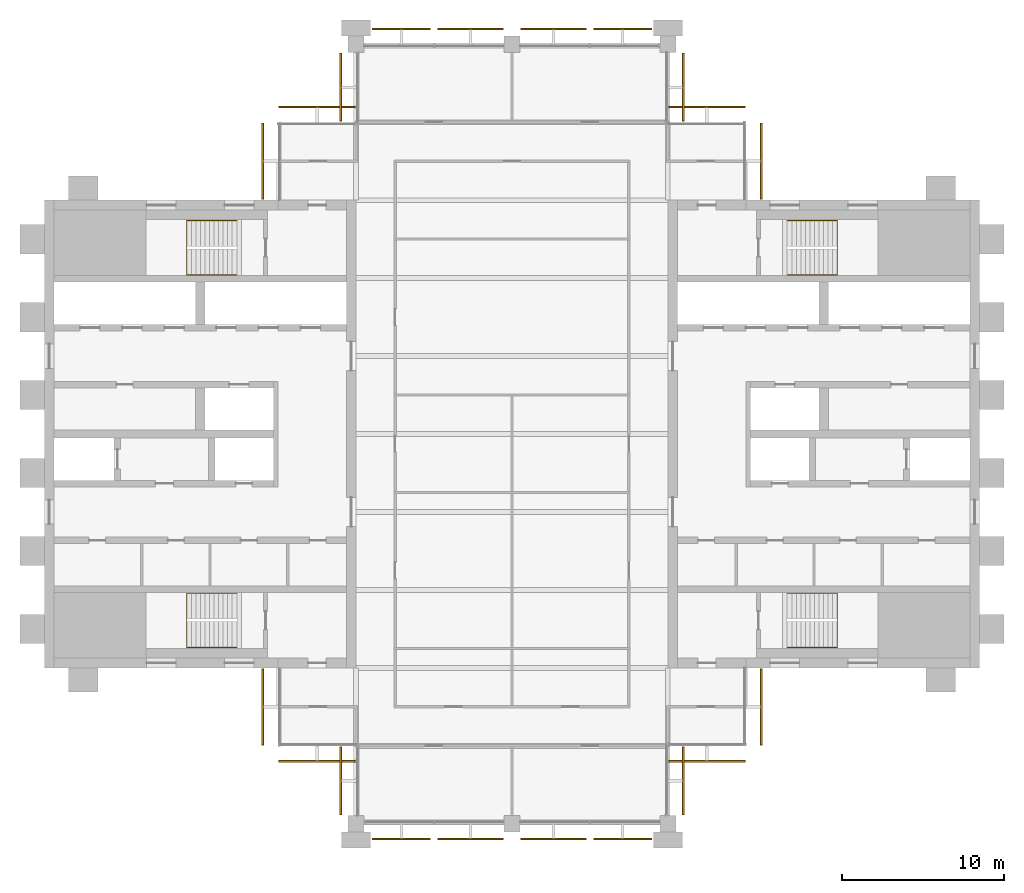
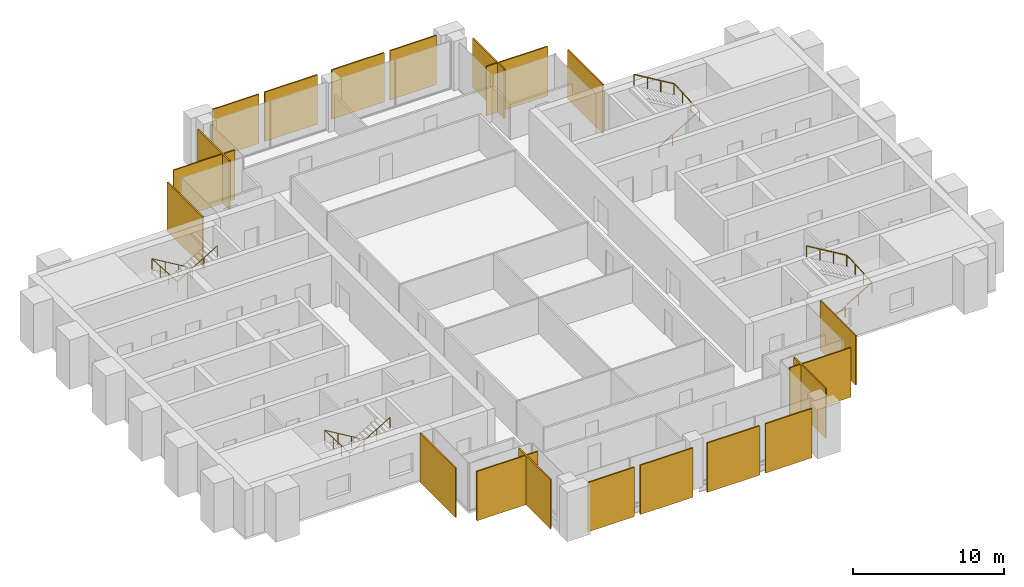
# One storey, part 12 of 12: 20 coverings, 4 railings.
"""IFC4 building model written with IfcOpenShell, lengths in metres."""

import ifcopenshell
import ifcopenshell.guid

model = None  # the IFC model being written
_history = None  # IfcOwnerHistory: only IFC2X3 demands one
_inside = {}  # id of a spatial element -> (the spatial element, [elements in it])
_under = {}  # id of a project, library or spatial element -> (it, [spatial elements below it])
_declared = {}  # id of a project -> (the project, [libraries it declares])
_typed = {}  # id of a type object -> (the type object, [elements of that type])
_made_of = {}  # id of a material, layer set ... -> (it, [elements and type objects made of it])


def new_model(schema):
    """Start an empty IFC model of exactly this schema.

    Asked for "IFC4X3", IfcOpenShell would pick the latest addendum, in which some entities
    have other attributes; the version numbers below select the first issue.
    IFC2X3 requires an IfcOwnerHistory on every rooted entity: one is made here for all.
    """
    global model, _history
    if schema == "IFC4X3":
        model = ifcopenshell.file(schema_version=(4, 3, 0, 0))
    else:
        model = ifcopenshell.file(schema=schema)
    _inside.clear()
    _under.clear()
    _declared.clear()
    _typed.clear()
    _made_of.clear()
    _history = None
    if model.schema == "IFC2X3":
        org = make("IfcOrganization", Name="unknown")
        user = make(
            "IfcPersonAndOrganization",
            ThePerson=make("IfcPerson", FamilyName="unknown"),
            TheOrganization=org,
        )
        app = make(
            "IfcApplication",
            ApplicationDeveloper=org,
            Version="unknown",
            ApplicationFullName="unknown",
            ApplicationIdentifier="unknown",
        )
        _history = make(
            "IfcOwnerHistory",
            OwningUser=user,
            OwningApplication=app,
            ChangeAction="ADDED",
            CreationDate=0,
        )
    return model


def make(cls, **values):
    """One entity of the class cls with the attributes given. An attribute that is None is left unset."""
    return model.create_entity(
        cls, **{name: value for name, value in values.items() if value is not None}
    )


def rooted(cls, **values):
    """An entity with a GlobalId (a new one), such as an element, a storey or a relation."""
    return make(cls, GlobalId=ifcopenshell.guid.new(), OwnerHistory=_history, **values)


def si_unit(unit_type, name, prefix=None):
    """IfcSIUnit, for example si_unit("LENGTHUNIT", "METRE", prefix="MILLI")."""
    return make("IfcSIUnit", UnitType=unit_type, Prefix=prefix, Name=name)


def assignment(units):
    """IfcUnitAssignment: the units of a project."""
    return None if units is None else make("IfcUnitAssignment", Units=units)


def point(xyz):
    """IfcCartesianPoint."""
    return None if xyz is None else make("IfcCartesianPoint", Coordinates=xyz)


def direction(xyz):
    """IfcDirection."""
    return None if xyz is None else make("IfcDirection", DirectionRatios=xyz)


def frame(location, z_axis=None, x_axis=None):
    """IfcAxis2Placement3D, a coordinate frame: its origin and axes. An axis left out is left unset."""
    return make(
        "IfcAxis2Placement3D",
        Location=point(location),
        Axis=direction(z_axis),
        RefDirection=direction(x_axis),
    )


def frame_2d(location, x_axis=None):
    """IfcAxis2Placement2D, a coordinate frame in the plane: its origin and x axis."""
    return make(
        "IfcAxis2Placement2D", Location=point(location), RefDirection=direction(x_axis)
    )


def origin():
    """The frame at (0, 0, 0) with its axes left unset."""
    return frame((0.0, 0.0, 0.0))


def origin_2d():
    """The frame at (0, 0) in the plane with its x axis left unset."""
    return frame_2d((0.0, 0.0))


def place(relative_to, where):
    """IfcLocalPlacement: puts the frame where relative to a parent placement (None: the world)."""
    return make(
        "IfcLocalPlacement", PlacementRelTo=relative_to, RelativePlacement=where
    )


def context(
    kind, dimensions, precision=None, world=None, true_north=None, identifier=None
):
    """IfcGeometricRepresentationContext, for example the 3D "Model" context."""
    return make(
        "IfcGeometricRepresentationContext",
        ContextIdentifier=identifier,
        ContextType=kind,
        CoordinateSpaceDimension=dimensions,
        Precision=precision,
        WorldCoordinateSystem=world,
        TrueNorth=true_north,
    )


def subcontext(parent, identifier, kind, view, scale=None):
    """IfcGeometricRepresentationSubContext, for example "Body" below "Model"."""
    return make(
        "IfcGeometricRepresentationSubContext",
        ContextIdentifier=identifier,
        ContextType=kind,
        ParentContext=parent,
        TargetScale=scale,
        TargetView=view,
    )


def project(units=None, contexts=None):
    """IfcProject with its units and contexts."""
    return rooted(
        "IfcProject",
        Name="project",
        RepresentationContexts=contexts,
        UnitsInContext=assignment(units),
    )


def spatial(cls, under=None, at=None, **own):
    """A site, building, storey or space (cls), placed at a placement, below another one or the project."""
    s = rooted(cls, ObjectPlacement=at, **own)
    if under is not None:
        _under.setdefault(under.id(), (under, []))[1].append(s)
    return s


def polyline(points):
    """IfcPolyline through the points."""
    return make("IfcPolyline", Points=[point(p) for p in points])


def profile(cls, at=None, kind="AREA", **sizes):
    """A parametric profile (cls). Its sizes go by their IFC names, for example OverallWidth=200.0."""
    return make(cls, ProfileType=kind, Position=at, **sizes)


def circle(**sizes):
    """IfcCircleProfileDef."""
    return profile("IfcCircleProfileDef", **sizes)


def outline(outer, holes=None, kind="AREA"):
    """IfcArbitraryClosedProfileDef: a profile drawn as a closed curve; with holes, ...WithVoids."""
    if holes is None:
        return make("IfcArbitraryClosedProfileDef", ProfileType=kind, OuterCurve=outer)
    return make(
        "IfcArbitraryProfileDefWithVoids",
        ProfileType=kind,
        OuterCurve=outer,
        InnerCurves=holes,
    )


def extrude(swept, where, along, depth):
    """IfcExtrudedAreaSolid: the profile swept, set in the frame where, extruded along a direction by depth."""
    return make(
        "IfcExtrudedAreaSolid",
        SweptArea=swept,
        Position=where,
        ExtrudedDirection=direction(along),
        Depth=depth,
    )


def shape(context_of_items, identifier, shape_type, items):
    """IfcShapeRepresentation: the items that make up one representation, for example the "Body"."""
    return make(
        "IfcShapeRepresentation",
        ContextOfItems=context_of_items,
        RepresentationIdentifier=identifier,
        RepresentationType=shape_type,
        Items=items,
    )


def material(Name=None, Category=None):
    """IfcMaterial."""
    return make("IfcMaterial", Name=Name, Category=Category)


def layer(
    of_material, thickness, ventilated=None, Name=None, Category=None, Priority=None
):
    """IfcMaterialLayer: one layer of a wall or slab, of a material (None: an air gap)."""
    return make(
        "IfcMaterialLayer",
        Material=of_material,
        LayerThickness=thickness,
        IsVentilated=ventilated,
        Name=Name,
        Category=Category,
        Priority=Priority,
    )


def layer_set(layers, Name=None):
    """IfcMaterialLayerSet."""
    return make("IfcMaterialLayerSet", MaterialLayers=layers, LayerSetName=Name)


def made_of(thing, what):
    """Note that an element or type object is made of a material, layer set ...; save() writes the relation."""
    if what is not None:
        _made_of.setdefault(what.id(), (what, []))[1].append(thing)
    return thing


def type_object(cls, material=None, **own):
    """A type object (cls), such as IfcWallType, which elements share."""
    return made_of(rooted(cls, **own), material)


def element(
    cls,
    number,
    at=None,
    inside=None,
    cuts=None,
    type_object=None,
    material=None,
    context=None,
    identifier="Body",
    shape_type=None,
    held_by="IfcProductDefinitionShape",
    body=None,
    shapes=None,
    **own,
):
    """One element of the class cls, such as IfcWall. Its Tag is "e" and its number.

    at: its placement. inside: the storey or other place that contains it. cuts: it is an
    opening in that element (IfcRelVoidsElement). A single representation is given by context,
    identifier, shape_type and body (its items); several are given by shapes. held_by: the class
    of the entity that holds the representations. save() writes the other relations.
    """
    e = rooted(cls, Tag="e%d" % number, ObjectPlacement=at, **own)
    if body is not None:
        shapes = [shape(context, identifier, shape_type, body)]
    if shapes is not None:
        e.Representation = make(held_by, Representations=shapes)
    if inside is not None:
        _inside.setdefault(inside.id(), (inside, []))[1].append(e)
    if cuts is not None:
        rooted(
            "IfcRelVoidsElement", RelatingBuildingElement=cuts, RelatedOpeningElement=e
        )
    if type_object is not None:
        _typed.setdefault(type_object.id(), (type_object, []))[1].append(e)
    return made_of(e, material)


def aggregate(whole, parts):
    """IfcRelAggregates: a whole, such as a stair, and the parts it consists of."""
    return rooted("IfcRelAggregates", RelatingObject=whole, RelatedObjects=parts)


def save(model, path):
    """Write the relations noted so far, then the file.

    IfcRelAggregates (storeys below a building ...), IfcRelContainedInSpatialStructure (elements
    in a storey), IfcRelDefinesByType, IfcRelAssociatesMaterial and IfcRelDeclares: one each for
    every whole, place, type object, material and project.
    """
    for whole, parts in _under.values():
        aggregate(whole, parts)
    for where, things in _inside.values():
        rooted(
            "IfcRelContainedInSpatialStructure",
            RelatedElements=things,
            RelatingStructure=where,
        )
    for kind, things in _typed.values():
        rooted("IfcRelDefinesByType", RelatedObjects=things, RelatingType=kind)
    for what, things in _made_of.values():
        rooted("IfcRelAssociatesMaterial", RelatedObjects=things, RelatingMaterial=what)
    for by, libraries in _declared.values():
        rooted("IfcRelDeclares", RelatingContext=by, RelatedDefinitions=libraries)
    model.write(path)


model = new_model("IFC4")

# Units and contexts
model_context = context("Model", 3, precision=1e-05, world=origin(), true_north=direction((0.0, 1.0)))
body_context = subcontext(model_context, "Body", "Model", "MODEL_VIEW")
ifc_project = project(units=[si_unit("LENGTHUNIT", "METRE"), si_unit("AREAUNIT", "SQUARE_METRE"), si_unit("VOLUMEUNIT", "CUBIC_METRE"), si_unit("PLANEANGLEUNIT", "RADIAN"), si_unit("MASSUNIT", "GRAM", prefix="KILO")], contexts=[model_context])

# Site, building, storey
site_placement = place(None, origin())
site = spatial("IfcSite", under=ifc_project, at=site_placement, CompositionType="ELEMENT")
building_placement = place(site_placement, origin())
building = spatial("IfcBuilding", under=site, at=building_placement, Name="Baori Bourse Tower", CompositionType="ELEMENT")
storey_placement = place(building_placement, frame((0.0, 0.0, 310.300048828125)))
storey = spatial("IfcBuildingStorey", under=building, at=storey_placement, Name="L68", CompositionType="ELEMENT", Elevation=310.300048828125)

# Railings
ifc_material_1 = material(Name="Powder-coated steel balustrade", Category="steel")
railing_type = type_object("IfcRailingType", Name="Core stair handrail", PredefinedType="HANDRAIL", material=ifc_material_1)
railing_1_placement = place(storey_placement, frame((11.85009765625, 14.199951171875, 0.16650390625)))
element("IfcRailing", 1, at=railing_1_placement, inside=storey, type_object=railing_type, Name="L68 ST1 stair handrail 1", PredefinedType="HANDRAIL", context=body_context, shape_type="SweptSolid", body=[
    extrude(circle(Radius=0.02392578125, at=origin_2d()), frame((0.0, 0.0, 0.8759765625), z_axis=(-0.85927862911, 0.0, 0.511507807912), x_axis=(0.0, -1.0, 0.0)), (0.0, 0.0, 1.0), 3.58447265625),
    extrude(circle(Radius=0.02392578125, at=origin_2d()), frame((-3.080078125, 0.0, 2.70947265625), z_axis=(0.0, -0.998766999029, 0.049643545903), x_axis=(1.0, 0.0, 0.0)), (0.0, 0.0, 1.0), 3.35400390625),
    extrude(circle(Radius=0.02392578125, at=origin_2d()), frame((-3.080078125, -3.349853515625, 2.8759765625), z_axis=(0.85927862911, 0.0, 0.511507807912), x_axis=(0.0, 1.0, 0.0)), (0.0, 0.0, 1.0), 3.58447265625),
    extrude(circle(Radius=0.02099609375, at=origin_2d()), origin(), (0.0, 0.0, 1.0), 0.851806640625),
    extrude(circle(Radius=0.02099609375, at=origin_2d()), frame((-1.026611328125, 0.0, 0.611083984375)), (0.0, 0.0, 1.0), 0.851806640625),
    extrude(circle(Radius=0.02099609375, at=origin_2d()), frame((-2.053466796875, 0.0, 1.222412109375)), (0.0, 0.0, 1.0), 0.851806640625),
    extrude(circle(Radius=0.02099609375, at=origin_2d()), frame((-3.080078125, 0.0, 1.83349609375)), (0.0, 0.0, 1.0), 0.851806640625),
    extrude(circle(Radius=0.02099609375, at=origin_2d()), frame((-3.080078125, -1.11669921875, 1.888916015625)), (0.0, 0.0, 1.0), 0.851806640625),
    extrude(circle(Radius=0.02099609375, at=origin_2d()), frame((-3.080078125, -2.233154296875, 1.944580078125)), (0.0, 0.0, 1.0), 0.851806640625),
    extrude(circle(Radius=0.02099609375, at=origin_2d()), frame((-3.080078125, -3.349853515625, 2.0)), (0.0, 0.0, 1.0), 0.851806640625),
    extrude(circle(Radius=0.02099609375, at=origin_2d()), frame((-2.053466796875, -3.349853515625, 2.611083984375)), (0.0, 0.0, 1.0), 0.851806640625),
    extrude(circle(Radius=0.02099609375, at=origin_2d()), frame((-1.026611328125, -3.349853515625, 3.222412109375)), (0.0, 0.0, 1.0), 0.851806640625),
    extrude(circle(Radius=0.02099609375, at=origin_2d()), frame((0.0, -3.349853515625, 3.83349609375)), (0.0, 0.0, 1.0), 0.851806640625),
])
railing_2_placement = place(storey_placement, frame((11.85009765625, 37.14990234375, 0.16650390625)))
element("IfcRailing", 2, at=railing_2_placement, inside=storey, type_object=railing_type, Name="L68 ST2 stair handrail 1", PredefinedType="HANDRAIL", context=body_context, shape_type="SweptSolid", body=[
    extrude(circle(Radius=0.02392578125, at=origin_2d()), frame((0.0, 0.0, 0.8759765625), z_axis=(-0.85927862911, 0.0, 0.511507807912), x_axis=(0.0, -1.0, 0.0)), (0.0, 0.0, 1.0), 3.58447265625),
    extrude(circle(Radius=0.02392578125, at=origin_2d()), frame((-3.080078125, 0.0, 2.70947265625), z_axis=(0.0, -0.998766999029, 0.049643545903), x_axis=(1.0, 0.0, 0.0)), (0.0, 0.0, 1.0), 3.35400390625),
    extrude(circle(Radius=0.02392578125, at=origin_2d()), frame((-3.080078125, -3.349853515625, 2.8759765625), z_axis=(0.85927862911, 0.0, 0.511507807912), x_axis=(0.0, 1.0, 0.0)), (0.0, 0.0, 1.0), 3.58447265625),
    extrude(circle(Radius=0.02099609375, at=origin_2d()), origin(), (0.0, 0.0, 1.0), 0.851806640625),
    extrude(circle(Radius=0.02099609375, at=origin_2d()), frame((-1.026611328125, 0.0, 0.611083984375)), (0.0, 0.0, 1.0), 0.851806640625),
    extrude(circle(Radius=0.02099609375, at=origin_2d()), frame((-2.053466796875, 0.0, 1.222412109375)), (0.0, 0.0, 1.0), 0.851806640625),
    extrude(circle(Radius=0.02099609375, at=origin_2d()), frame((-3.080078125, 0.0, 1.83349609375)), (0.0, 0.0, 1.0), 0.851806640625),
    extrude(circle(Radius=0.02099609375, at=origin_2d()), frame((-3.080078125, -1.11669921875, 1.888916015625)), (0.0, 0.0, 1.0), 0.851806640625),
    extrude(circle(Radius=0.02099609375, at=origin_2d()), frame((-3.080078125, -2.233154296875, 1.944580078125)), (0.0, 0.0, 1.0), 0.851806640625),
    extrude(circle(Radius=0.02099609375, at=origin_2d()), frame((-3.080078125, -3.349853515625, 2.0)), (0.0, 0.0, 1.0), 0.851806640625),
    extrude(circle(Radius=0.02099609375, at=origin_2d()), frame((-2.053466796875, -3.349853515625, 2.611083984375)), (0.0, 0.0, 1.0), 0.851806640625),
    extrude(circle(Radius=0.02099609375, at=origin_2d()), frame((-1.026611328125, -3.349853515625, 3.222412109375)), (0.0, 0.0, 1.0), 0.851806640625),
    extrude(circle(Radius=0.02099609375, at=origin_2d()), frame((0.0, -3.349853515625, 3.83349609375)), (0.0, 0.0, 1.0), 0.851806640625),
])
railing_3_placement = place(storey_placement, frame((45.75, 10.85009765625, 0.16650390625)))
element("IfcRailing", 3, at=railing_3_placement, inside=storey, type_object=railing_type, Name="L68 ST3 stair handrail 1", PredefinedType="HANDRAIL", context=body_context, shape_type="SweptSolid", body=[
    extrude(circle(Radius=0.02392578125, at=origin_2d()), frame((0.0, 0.0, 0.8759765625), z_axis=(0.85927862911, 0.0, 0.511507807912), x_axis=(0.0, 1.0, 0.0)), (0.0, 0.0, 1.0), 3.58447265625),
    extrude(circle(Radius=0.02392578125, at=origin_2d()), frame((3.080078125, 0.0, 2.70947265625), z_axis=(0.0, 0.998766999029, 0.049643545903), x_axis=(-1.0, 0.0, 0.0)), (0.0, 0.0, 1.0), 3.35400390625),
    extrude(circle(Radius=0.02392578125, at=origin_2d()), frame((3.080078125, 3.349853515625, 2.8759765625), z_axis=(-0.85927862911, 0.0, 0.511507807912), x_axis=(0.0, -1.0, 0.0)), (0.0, 0.0, 1.0), 3.58447265625),
    extrude(circle(Radius=0.02099609375, at=origin_2d()), origin(), (0.0, 0.0, 1.0), 0.851806640625),
    extrude(circle(Radius=0.02099609375, at=origin_2d()), frame((1.026611328125, 0.0, 0.611083984375)), (0.0, 0.0, 1.0), 0.851806640625),
    extrude(circle(Radius=0.02099609375, at=origin_2d()), frame((2.053466796875, 0.0, 1.222412109375)), (0.0, 0.0, 1.0), 0.851806640625),
    extrude(circle(Radius=0.02099609375, at=origin_2d()), frame((3.080078125, 0.0, 1.83349609375)), (0.0, 0.0, 1.0), 0.851806640625),
    extrude(circle(Radius=0.02099609375, at=origin_2d()), frame((3.080078125, 1.11669921875, 1.888916015625)), (0.0, 0.0, 1.0), 0.851806640625),
    extrude(circle(Radius=0.02099609375, at=origin_2d()), frame((3.080078125, 2.233154296875, 1.944580078125)), (0.0, 0.0, 1.0), 0.851806640625),
    extrude(circle(Radius=0.02099609375, at=origin_2d()), frame((3.080078125, 3.349853515625, 2.0)), (0.0, 0.0, 1.0), 0.851806640625),
    extrude(circle(Radius=0.02099609375, at=origin_2d()), frame((2.053466796875, 3.349853515625, 2.611083984375)), (0.0, 0.0, 1.0), 0.851806640625),
    extrude(circle(Radius=0.02099609375, at=origin_2d()), frame((1.026611328125, 3.349853515625, 3.222412109375)), (0.0, 0.0, 1.0), 0.851806640625),
    extrude(circle(Radius=0.02099609375, at=origin_2d()), frame((0.0, 3.349853515625, 3.83349609375)), (0.0, 0.0, 1.0), 0.851806640625),
])
railing_4_placement = place(storey_placement, frame((45.75, 33.800048828125, 0.16650390625)))
element("IfcRailing", 4, at=railing_4_placement, inside=storey, type_object=railing_type, Name="L68 ST4 stair handrail 1", PredefinedType="HANDRAIL", context=body_context, shape_type="SweptSolid", body=[
    extrude(circle(Radius=0.02392578125, at=origin_2d()), frame((0.0, 0.0, 0.8759765625), z_axis=(0.85927862911, 0.0, 0.511507807912), x_axis=(0.0, 1.0, 0.0)), (0.0, 0.0, 1.0), 3.58447265625),
    extrude(circle(Radius=0.02392578125, at=origin_2d()), frame((3.080078125, 0.0, 2.70947265625), z_axis=(0.0, 0.998766999029, 0.049643545903), x_axis=(-1.0, 0.0, 0.0)), (0.0, 0.0, 1.0), 3.35400390625),
    extrude(circle(Radius=0.02392578125, at=origin_2d()), frame((3.080078125, 3.349853515625, 2.8759765625), z_axis=(-0.85927862911, 0.0, 0.511507807912), x_axis=(0.0, -1.0, 0.0)), (0.0, 0.0, 1.0), 3.58447265625),
    extrude(circle(Radius=0.02099609375, at=origin_2d()), origin(), (0.0, 0.0, 1.0), 0.851806640625),
    extrude(circle(Radius=0.02099609375, at=origin_2d()), frame((1.026611328125, 0.0, 0.611083984375)), (0.0, 0.0, 1.0), 0.851806640625),
    extrude(circle(Radius=0.02099609375, at=origin_2d()), frame((2.053466796875, 0.0, 1.222412109375)), (0.0, 0.0, 1.0), 0.851806640625),
    extrude(circle(Radius=0.02099609375, at=origin_2d()), frame((3.080078125, 0.0, 1.83349609375)), (0.0, 0.0, 1.0), 0.851806640625),
    extrude(circle(Radius=0.02099609375, at=origin_2d()), frame((3.080078125, 1.11669921875, 1.888916015625)), (0.0, 0.0, 1.0), 0.851806640625),
    extrude(circle(Radius=0.02099609375, at=origin_2d()), frame((3.080078125, 2.233154296875, 1.944580078125)), (0.0, 0.0, 1.0), 0.851806640625),
    extrude(circle(Radius=0.02099609375, at=origin_2d()), frame((3.080078125, 3.349853515625, 2.0)), (0.0, 0.0, 1.0), 0.851806640625),
    extrude(circle(Radius=0.02099609375, at=origin_2d()), frame((2.053466796875, 3.349853515625, 2.611083984375)), (0.0, 0.0, 1.0), 0.851806640625),
    extrude(circle(Radius=0.02099609375, at=origin_2d()), frame((1.026611328125, 3.349853515625, 3.222412109375)), (0.0, 0.0, 1.0), 0.851806640625),
    extrude(circle(Radius=0.02099609375, at=origin_2d()), frame((0.0, 3.349853515625, 3.83349609375)), (0.0, 0.0, 1.0), 0.851806640625),
])

# Coverings
ifc_material_2 = material(Name="Pale anodised aluminium", Category="aluminium")
ifc_layer = layer(ifc_material_2, 0.10009765625)
ifc_layer_set = layer_set([ifc_layer], Name="OS3 Outer skin screen panel")
covering_type = type_object("IfcCoveringType", Name="OS3 Outer skin screen panel", PredefinedType="CLADDING", material=ifc_layer_set)
covering_1_placement = place(storey_placement, frame((0.0, 0.0, -0.16015625)))
element("IfcCovering", 5, at=covering_1_placement, inside=storey, type_object=covering_type, Name="Outer skin screen L68 1", PredefinedType="CLADDING", context=body_context, shape_type="SweptSolid", body=[
    extrude(outline(polyline([(44.10009765625, 43.14990234375), (44.10009765625, 38.449951171875), (44.199951171875, 38.449951171875), (44.199951171875, 43.14990234375), (44.10009765625, 43.14990234375)])), origin(), (0.0, 0.0, 1.0), 4.0),
])
covering_2_placement = place(storey_placement, frame((0.0, 0.0, -0.16015625)))
element("IfcCovering", 6, at=covering_2_placement, inside=storey, type_object=covering_type, Name="Outer skin screen L68 2", PredefinedType="CLADDING", context=body_context, shape_type="SweptSolid", body=[
    extrude(outline(polyline([(38.449951171875, 44.10009765625), (43.14990234375, 44.10009765625), (43.14990234375, 44.199951171875), (38.449951171875, 44.199951171875), (38.449951171875, 44.10009765625)])), origin(), (0.0, 0.0, 1.0), 4.0),
])
covering_3_placement = place(storey_placement, frame((0.0, 0.0, -0.16015625)))
element("IfcCovering", 7, at=covering_3_placement, inside=storey, type_object=covering_type, Name="Outer skin screen L68 3", PredefinedType="CLADDING", context=body_context, shape_type="SweptSolid", body=[
    extrude(outline(polyline([(39.300048828125, 47.449951171875), (39.300048828125, 43.25), (39.39990234375, 43.25), (39.39990234375, 47.449951171875), (39.300048828125, 47.449951171875)])), origin(), (0.0, 0.0, 1.0), 4.0),
])
covering_4_placement = place(storey_placement, frame((0.0, 0.0, -0.16015625)))
element("IfcCovering", 8, at=covering_4_placement, inside=storey, type_object=covering_type, Name="Outer skin screen L68 4", PredefinedType="CLADDING", context=body_context, shape_type="SweptSolid", body=[
    extrude(outline(polyline([(33.824951171875, 48.89990234375), (37.39990234375, 48.89990234375), (37.39990234375, 49.0), (33.824951171875, 49.0), (33.824951171875, 48.89990234375)])), origin(), (0.0, 0.0, 1.0), 4.0),
])
covering_5_placement = place(storey_placement, frame((0.0, 0.0, -0.16015625)))
element("IfcCovering", 9, at=covering_5_placement, inside=storey, type_object=covering_type, Name="Outer skin screen L68 5", PredefinedType="CLADDING", context=body_context, shape_type="SweptSolid", body=[
    extrude(outline(polyline([(29.35009765625, 48.89990234375), (33.375, 48.89990234375), (33.375, 49.0), (29.35009765625, 49.0), (29.35009765625, 48.89990234375)])), origin(), (0.0, 0.0, 1.0), 4.0),
])
covering_6_placement = place(storey_placement, frame((0.0, 0.0, -0.16015625)))
element("IfcCovering", 10, at=covering_6_placement, inside=storey, type_object=covering_type, Name="Outer skin screen L68 6", PredefinedType="CLADDING", context=body_context, shape_type="SweptSolid", body=[
    extrude(outline(polyline([(24.22509765625, 48.89990234375), (28.25, 48.89990234375), (28.25, 49.0), (24.22509765625, 49.0), (24.22509765625, 48.89990234375)])), origin(), (0.0, 0.0, 1.0), 4.0),
])
covering_7_placement = place(storey_placement, frame((0.0, 0.0, -0.16015625)))
element("IfcCovering", 11, at=covering_7_placement, inside=storey, type_object=covering_type, Name="Outer skin screen L68 7", PredefinedType="CLADDING", context=body_context, shape_type="SweptSolid", body=[
    extrude(outline(polyline([(20.199951171875, 48.89990234375), (23.77490234375, 48.89990234375), (23.77490234375, 49.0), (20.199951171875, 49.0), (20.199951171875, 48.89990234375)])), origin(), (0.0, 0.0, 1.0), 4.0),
])
covering_8_placement = place(storey_placement, frame((0.0, 0.0, -0.16015625)))
element("IfcCovering", 12, at=covering_8_placement, inside=storey, type_object=covering_type, Name="Outer skin screen L68 8", PredefinedType="CLADDING", context=body_context, shape_type="SweptSolid", body=[
    extrude(outline(polyline([(18.300048828125, 43.25), (18.300048828125, 47.449951171875), (18.199951171875, 47.449951171875), (18.199951171875, 43.25), (18.300048828125, 43.25)])), origin(), (0.0, 0.0, 1.0), 4.0),
])
covering_9_placement = place(storey_placement, frame((0.0, 0.0, -0.16015625)))
element("IfcCovering", 13, at=covering_9_placement, inside=storey, type_object=covering_type, Name="Outer skin screen L68 9", PredefinedType="CLADDING", context=body_context, shape_type="SweptSolid", body=[
    extrude(outline(polyline([(14.449951171875, 44.10009765625), (19.14990234375, 44.10009765625), (19.14990234375, 44.199951171875), (14.449951171875, 44.199951171875), (14.449951171875, 44.10009765625)])), origin(), (0.0, 0.0, 1.0), 4.0),
])
covering_10_placement = place(storey_placement, frame((0.0, 0.0, -0.16015625)))
element("IfcCovering", 14, at=covering_10_placement, inside=storey, type_object=covering_type, Name="Outer skin screen L68 10", PredefinedType="CLADDING", context=body_context, shape_type="SweptSolid", body=[
    extrude(outline(polyline([(13.5, 38.449951171875), (13.5, 43.14990234375), (13.39990234375, 43.14990234375), (13.39990234375, 38.449951171875), (13.5, 38.449951171875)])), origin(), (0.0, 0.0, 1.0), 4.0),
])
covering_11_placement = place(storey_placement, frame((0.0, 0.0, -0.16015625)))
element("IfcCovering", 15, at=covering_11_placement, inside=storey, type_object=covering_type, Name="Outer skin screen L68 11", PredefinedType="CLADDING", context=body_context, shape_type="SweptSolid", body=[
    extrude(outline(polyline([(13.5, 4.85009765625), (13.5, 9.550048828125), (13.39990234375, 9.550048828125), (13.39990234375, 4.85009765625), (13.5, 4.85009765625)])), origin(), (0.0, 0.0, 1.0), 4.0),
])
covering_12_placement = place(storey_placement, frame((0.0, 0.0, -0.16015625)))
element("IfcCovering", 16, at=covering_12_placement, inside=storey, type_object=covering_type, Name="Outer skin screen L68 12", PredefinedType="CLADDING", context=body_context, shape_type="SweptSolid", body=[
    extrude(outline(polyline([(19.14990234375, 3.89990234375), (14.449951171875, 3.89990234375), (14.449951171875, 3.800048828125), (19.14990234375, 3.800048828125), (19.14990234375, 3.89990234375)])), origin(), (0.0, 0.0, 1.0), 4.0),
])
covering_13_placement = place(storey_placement, frame((0.0, 0.0, -0.16015625)))
element("IfcCovering", 17, at=covering_13_placement, inside=storey, type_object=covering_type, Name="Outer skin screen L68 13", PredefinedType="CLADDING", context=body_context, shape_type="SweptSolid", body=[
    extrude(outline(polyline([(18.300048828125, 0.550048828125), (18.300048828125, 4.75), (18.199951171875, 4.75), (18.199951171875, 0.550048828125), (18.300048828125, 0.550048828125)])), origin(), (0.0, 0.0, 1.0), 4.0),
])
covering_14_placement = place(storey_placement, frame((0.0, 0.0, -0.16015625)))
element("IfcCovering", 18, at=covering_14_placement, inside=storey, type_object=covering_type, Name="Outer skin screen L68 14", PredefinedType="CLADDING", context=body_context, shape_type="SweptSolid", body=[
    extrude(outline(polyline([(23.77490234375, -0.89990234375), (20.199951171875, -0.89990234375), (20.199951171875, -1.0), (23.77490234375, -1.0), (23.77490234375, -0.89990234375)])), origin(), (0.0, 0.0, 1.0), 4.0),
])
covering_15_placement = place(storey_placement, frame((0.0, 0.0, -0.16015625)))
element("IfcCovering", 19, at=covering_15_placement, inside=storey, type_object=covering_type, Name="Outer skin screen L68 15", PredefinedType="CLADDING", context=body_context, shape_type="SweptSolid", body=[
    extrude(outline(polyline([(28.25, -0.89990234375), (24.22509765625, -0.89990234375), (24.22509765625, -1.0), (28.25, -1.0), (28.25, -0.89990234375)])), origin(), (0.0, 0.0, 1.0), 4.0),
])
covering_16_placement = place(storey_placement, frame((0.0, 0.0, -0.16015625)))
element("IfcCovering", 20, at=covering_16_placement, inside=storey, type_object=covering_type, Name="Outer skin screen L68 16", PredefinedType="CLADDING", context=body_context, shape_type="SweptSolid", body=[
    extrude(outline(polyline([(33.375, -0.89990234375), (29.35009765625, -0.89990234375), (29.35009765625, -1.0), (33.375, -1.0), (33.375, -0.89990234375)])), origin(), (0.0, 0.0, 1.0), 4.0),
])
covering_17_placement = place(storey_placement, frame((0.0, 0.0, -0.16015625)))
element("IfcCovering", 21, at=covering_17_placement, inside=storey, type_object=covering_type, Name="Outer skin screen L68 17", PredefinedType="CLADDING", context=body_context, shape_type="SweptSolid", body=[
    extrude(outline(polyline([(37.39990234375, -0.89990234375), (33.824951171875, -0.89990234375), (33.824951171875, -1.0), (37.39990234375, -1.0), (37.39990234375, -0.89990234375)])), origin(), (0.0, 0.0, 1.0), 4.0),
])
covering_18_placement = place(storey_placement, frame((0.0, 0.0, -0.16015625)))
element("IfcCovering", 22, at=covering_18_placement, inside=storey, type_object=covering_type, Name="Outer skin screen L68 18", PredefinedType="CLADDING", context=body_context, shape_type="SweptSolid", body=[
    extrude(outline(polyline([(39.300048828125, 4.75), (39.300048828125, 0.550048828125), (39.39990234375, 0.550048828125), (39.39990234375, 4.75), (39.300048828125, 4.75)])), origin(), (0.0, 0.0, 1.0), 4.0),
])
covering_19_placement = place(storey_placement, frame((0.0, 0.0, -0.16015625)))
element("IfcCovering", 23, at=covering_19_placement, inside=storey, type_object=covering_type, Name="Outer skin screen L68 19", PredefinedType="CLADDING", context=body_context, shape_type="SweptSolid", body=[
    extrude(outline(polyline([(43.14990234375, 3.89990234375), (38.449951171875, 3.89990234375), (38.449951171875, 3.800048828125), (43.14990234375, 3.800048828125), (43.14990234375, 3.89990234375)])), origin(), (0.0, 0.0, 1.0), 4.0),
])
covering_20_placement = place(storey_placement, frame((0.0, 0.0, -0.16015625)))
element("IfcCovering", 24, at=covering_20_placement, inside=storey, type_object=covering_type, Name="Outer skin screen L68 20", PredefinedType="CLADDING", context=body_context, shape_type="SweptSolid", body=[
    extrude(outline(polyline([(44.10009765625, 9.550048828125), (44.10009765625, 4.85009765625), (44.199951171875, 4.85009765625), (44.199951171875, 9.550048828125), (44.10009765625, 9.550048828125)])), origin(), (0.0, 0.0, 1.0), 4.0),
])

save(model, "model.ifc")
